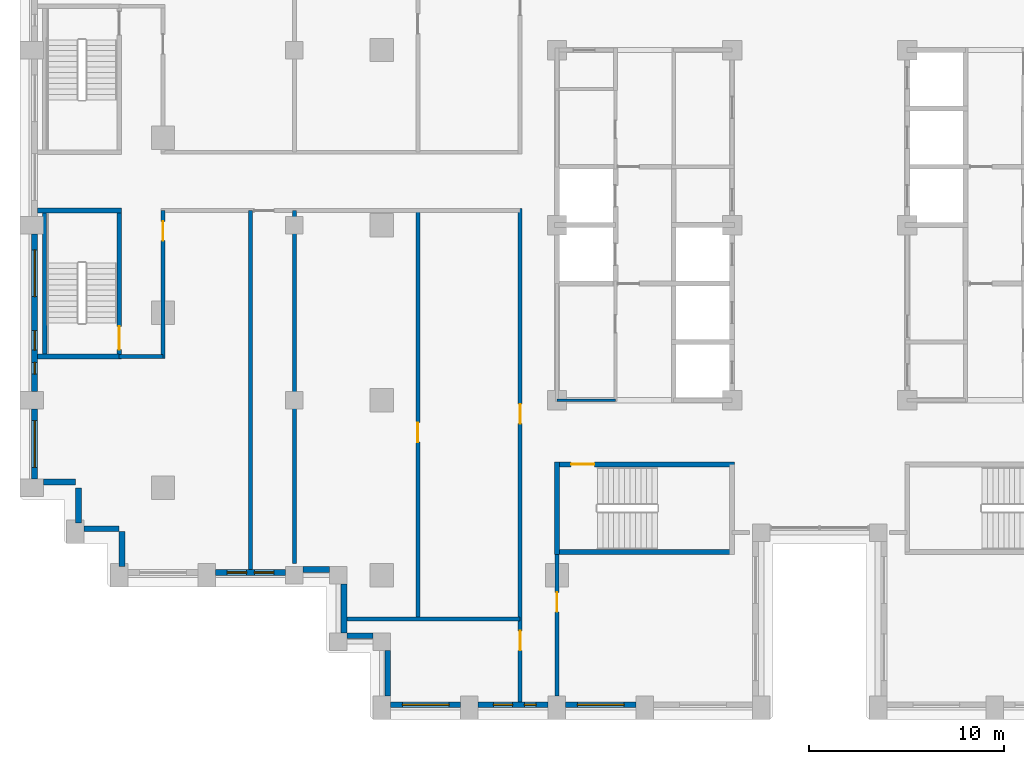
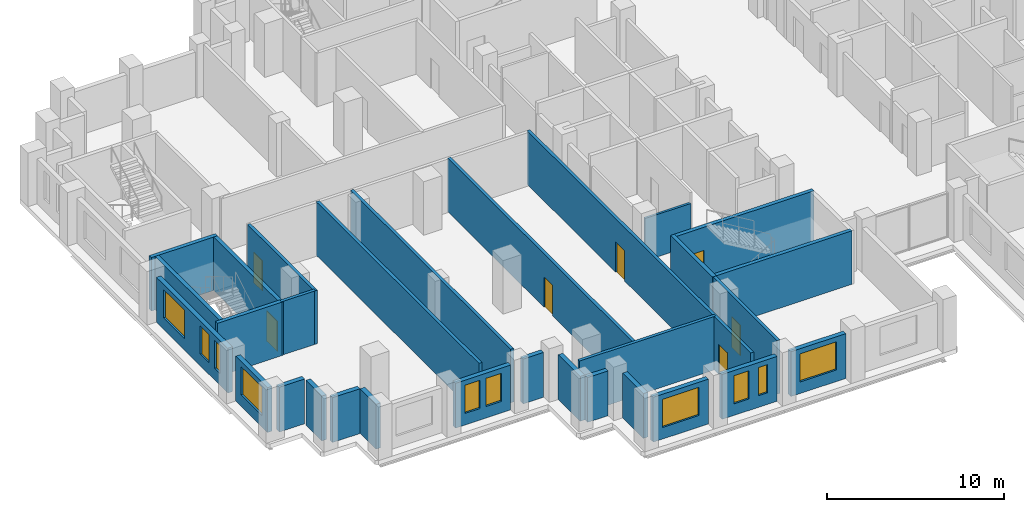
# One storey, part 6 of 16: 30 walls, 10 windows, 7 doors, 17 openings.
"""IFC4 building model written with IfcOpenShell, lengths in metres."""

from ifc_helpers import new_model, si_unit, direction, frame, frame_2d, origin, place, context, subcontext, project, spatial, rectangle, extrude, material, layer, layer_set, type_object, element, fill, save


model = new_model("IFC4")

# Units and contexts
model_context = context("Model", 3, precision=1e-05, world=origin(), true_north=direction((0.0, 1.0)))
body_context = subcontext(model_context, "Body", "Model", "MODEL_VIEW")
ifc_project = project(units=[si_unit("LENGTHUNIT", "METRE"), si_unit("AREAUNIT", "SQUARE_METRE"), si_unit("VOLUMEUNIT", "CUBIC_METRE"), si_unit("PLANEANGLEUNIT", "RADIAN"), si_unit("MASSUNIT", "GRAM", prefix="KILO")], contexts=[model_context])

# Site, building, storey
site_placement = place(None, origin())
site = spatial("IfcSite", under=ifc_project, at=site_placement, CompositionType="ELEMENT")
building_placement = place(site_placement, origin())
building = spatial("IfcBuilding", under=site, at=building_placement, Name="Corbelhall Arena Tower", CompositionType="ELEMENT")
storey_placement = place(building_placement, frame((0.0, 0.0, 108.0)))
storey = spatial("IfcBuildingStorey", under=building, at=storey_placement, Name="L19", CompositionType="ELEMENT", Elevation=108.0)

# Walls
ifc_material_1 = material(Name="Precast concrete C40/50 with granite facing", Category="masonry")
ifc_layer_1 = layer(ifc_material_1, 0.300048828125)
ifc_layer_set_1 = layer_set([ifc_layer_1], Name="EV-IW1 Infill panel 300")
wall_type_1 = type_object("IfcWallType", Name="EV-IW1 Infill panel 300", PredefinedType="SOLIDWALL", material=ifc_layer_set_1)
wall_1_placement = place(storey_placement, frame((-39.89990234375, -13.199951171875, 0.0), z_axis=(0.0, 0.0, 1.0), x_axis=(1.0, 0.0, 0.0)))
element("IfcWall", 1, at=wall_1_placement, inside=storey, type_object=wall_type_1, Name="Infill panel IW1", PredefinedType="SOLIDWALL", context=body_context, shape_type="SweptSolid", body=[
    extrude(rectangle(XDim=1.64990234375, YDim=0.300048828125, at=frame_2d((0.824951171875, 0.0))), origin(), (0.0, 0.0, 1.0), 3.10009765625),
])
for number, where, z_axis, x_axis, name in (
    (2, (-38.10009765625, -15.300048828125, 0.0), (0.0, 0.0, 1.0), (0.0, 1.0, 0.0), "Infill panel IW1"),
    (3, (-37.800048828125, -15.60009765625, 0.0), (0.0, 0.0, 1.0), (1.0, 0.0, 0.0), "Infill panel IW1"),
    (4, (-35.85009765625, -17.550048828125, 0.0), (0.0, 0.0, 1.0), (0.0, 1.0, 0.0), "Infill panel IW1"),
):
    element("IfcWall", number, at=place(storey_placement, frame(where, z_axis=z_axis, x_axis=x_axis)), inside=storey, type_object=wall_type_1, Name=name, PredefinedType="SOLIDWALL", context=body_context, shape_type="SweptSolid", body=[
        extrude(rectangle(XDim=1.800048828125, YDim=0.300048828125, at=frame_2d((0.89990234375, 0.0))), origin(), (0.0, 0.0, 1.0), 3.10009765625),
    ])

# Wall, openings, windows
wall_2_placement = place(storey_placement, frame((-40.35009765625, -0.449951171875, 0.0), z_axis=(0.0, 0.0, 1.0), x_axis=(0.0, -1.0, 0.0)))
wall_2 = element("IfcWall", 5, at=wall_2_placement, inside=storey, type_object=wall_type_1, Name="Infill panel IW1", PredefinedType="SOLIDWALL", context=body_context, shape_type="SweptSolid", body=[
    extrude(rectangle(XDim=8.10009765625, YDim=0.300048828125, at=frame_2d((4.050048828125, 0.0))), origin(), (0.0, 0.0, 1.0), 3.10009765625),
])
opening_1_placement = place(wall_2_placement, frame((0.824951171875, 0.0, 0.800048828125)))
opening_1 = element("IfcOpeningElement", 6, at=opening_1_placement, cuts=wall_2, Name="Opening WN1", PredefinedType="OPENING", context=body_context, shape_type="SweptSolid", body=[
    extrude(rectangle(XDim=2.39990234375, YDim=1.949951171875, at=frame_2d((1.199951171875, 0.97509765625))), frame((0.0, 0.14990234375, 0.0), z_axis=(0.0, -1.0, 0.0), x_axis=(1.0, 0.0, 0.0)), (0.0, 0.0, 1.0), 0.300048828125),
])
opening_2_placement = place(wall_2_placement, frame((4.97509765625, 0.0, 0.800048828125)))
opening_2 = element("IfcOpeningElement", 7, at=opening_2_placement, cuts=wall_2, Name="Opening WN6", PredefinedType="OPENING", context=body_context, shape_type="SweptSolid", body=[
    extrude(rectangle(XDim=1.0, YDim=1.949951171875, at=frame_2d((0.5, 0.97509765625))), frame((0.0, 0.14990234375, 0.0), z_axis=(0.0, -1.0, 0.0), x_axis=(1.0, 0.0, 0.0)), (0.0, 0.0, 1.0), 0.300048828125),
])
opening_3_placement = place(wall_2_placement, frame((6.60009765625, 0.0, 0.800048828125)))
opening_3 = element("IfcOpeningElement", 8, at=opening_3_placement, cuts=wall_2, Name="Opening WN5", PredefinedType="OPENING", context=body_context, shape_type="SweptSolid", body=[
    extrude(rectangle(XDim=0.60009765625, YDim=1.949951171875, at=frame_2d((0.300048828125, 0.97509765625))), frame((0.0, 0.14990234375, 0.0), z_axis=(0.0, -1.0, 0.0), x_axis=(1.0, 0.0, 0.0)), (0.0, 0.0, 1.0), 0.300048828125),
])
ifc_material_2 = material(Name="Aluminium black anodised", Category="aluminium")
window_type_1 = type_object("IfcWindowType", Name="EV-WN1 Office window", PartitioningType="SINGLE_PANEL", PredefinedType="WINDOW", material=ifc_material_2)
window_1_placement = place(opening_1_placement, origin())
window_1 = element("IfcWindow", 9, at=window_1_placement, inside=storey, type_object=window_type_1, Name="Window WN1", OverallHeight=1.949951171875, OverallWidth=2.39990234375, PartitioningType="SINGLE_PANEL", PredefinedType="WINDOW", context=body_context, shape_type="SweptSolid", body=[
    extrude(rectangle(XDim=2.39990234375, YDim=1.949951171875, at=frame_2d((1.199951171875, 0.97509765625))), frame((0.0, 0.030029296875, 0.0), z_axis=(0.0, -1.0, 0.0), x_axis=(1.0, 0.0, 0.0)), (0.0, 0.0, 1.0), 0.06005859375),
])
fill(opening_1, window_1)
window_type_2 = type_object("IfcWindowType", Name="EV-WN5 Office window 600", PartitioningType="SINGLE_PANEL", PredefinedType="WINDOW", material=ifc_material_2)
window_2_placement = place(opening_3_placement, origin())
window_2 = element("IfcWindow", 10, at=window_2_placement, inside=storey, type_object=window_type_2, Name="Window WN5", OverallHeight=1.949951171875, OverallWidth=0.60009765625, PartitioningType="SINGLE_PANEL", PredefinedType="WINDOW", context=body_context, shape_type="SweptSolid", body=[
    extrude(rectangle(XDim=0.60009765625, YDim=1.949951171875, at=frame_2d((0.300048828125, 0.97509765625))), frame((0.0, 0.030029296875, 0.0), z_axis=(0.0, -1.0, 0.0), x_axis=(1.0, 0.0, 0.0)), (0.0, 0.0, 1.0), 0.06005859375),
])
fill(opening_3, window_2)
window_type_3 = type_object("IfcWindowType", Name="EV-WN6 Office window 1000", PartitioningType="SINGLE_PANEL", PredefinedType="WINDOW", material=ifc_material_2)
window_3_placement = place(opening_2_placement, origin())
window_3 = element("IfcWindow", 11, at=window_3_placement, inside=storey, type_object=window_type_3, Name="Window WN6", OverallHeight=1.949951171875, OverallWidth=1.0, PartitioningType="SINGLE_PANEL", PredefinedType="WINDOW", context=body_context, shape_type="SweptSolid", body=[
    extrude(rectangle(XDim=1.0, YDim=1.949951171875, at=frame_2d((0.5, 0.97509765625))), frame((0.0, 0.030029296875, 0.0), z_axis=(0.0, -1.0, 0.0), x_axis=(1.0, 0.0, 0.0)), (0.0, 0.0, 1.0), 0.06005859375),
])
fill(opening_2, window_3)

# Wall, opening, window
wall_3_placement = place(storey_placement, frame((-40.35009765625, -9.449951171875, 0.0), z_axis=(0.0, 0.0, 1.0), x_axis=(0.0, -1.0, 0.0)))
wall_3 = element("IfcWall", 12, at=wall_3_placement, inside=storey, type_object=wall_type_1, Name="Infill panel IW1", PredefinedType="SOLIDWALL", context=body_context, shape_type="SweptSolid", body=[
    extrude(rectangle(XDim=3.60009765625, YDim=0.300048828125, at=frame_2d((1.800048828125, 0.0))), origin(), (0.0, 0.0, 1.0), 3.10009765625),
])
opening_4_placement = place(wall_3_placement, frame((0.60009765625, 0.0, 0.800048828125)))
opening_4 = element("IfcOpeningElement", 13, at=opening_4_placement, cuts=wall_3, Name="Opening WN1", PredefinedType="OPENING", context=body_context, shape_type="SweptSolid", body=[
    extrude(rectangle(XDim=2.39990234375, YDim=1.949951171875, at=frame_2d((1.199951171875, 0.97509765625))), frame((0.0, 0.14990234375, 0.0), z_axis=(0.0, -1.0, 0.0), x_axis=(1.0, 0.0, 0.0)), (0.0, 0.0, 1.0), 0.300048828125),
])
window_4_placement = place(opening_4_placement, origin())
window_4 = element("IfcWindow", 14, at=window_4_placement, inside=storey, type_object=window_type_1, Name="Window WN1", OverallHeight=1.949951171875, OverallWidth=2.39990234375, PartitioningType="SINGLE_PANEL", PredefinedType="WINDOW", context=body_context, shape_type="SweptSolid", body=[
    extrude(rectangle(XDim=2.39990234375, YDim=1.949951171875, at=frame_2d((1.199951171875, 0.97509765625))), frame((0.0, 0.030029296875, 0.0), z_axis=(0.0, -1.0, 0.0), x_axis=(1.0, 0.0, 0.0)), (0.0, 0.0, 1.0), 0.06005859375),
])
fill(opening_4, window_4)

# Wall, openings, windows
wall_4_placement = place(storey_placement, frame((-31.050048828125, -17.85009765625, 0.0), z_axis=(0.0, 0.0, 1.0), x_axis=(1.0, 0.0, 0.0)))
wall_4 = element("IfcWall", 15, at=wall_4_placement, inside=storey, type_object=wall_type_1, Name="Infill panel IW1", PredefinedType="SOLIDWALL", context=body_context, shape_type="SweptSolid", body=[
    extrude(rectangle(XDim=3.60009765625, YDim=0.300048828125, at=frame_2d((1.800048828125, 0.0))), origin(), (0.0, 0.0, 1.0), 3.10009765625),
])
opening_5_placement = place(wall_4_placement, frame((0.60009765625, 0.0, 0.800048828125)))
opening_5 = element("IfcOpeningElement", 16, at=opening_5_placement, cuts=wall_4, Name="Opening WN6", PredefinedType="OPENING", context=body_context, shape_type="SweptSolid", body=[
    extrude(rectangle(XDim=1.0, YDim=1.949951171875, at=frame_2d((0.5, 0.97509765625))), frame((0.0, 0.14990234375, 0.0), z_axis=(0.0, -1.0, 0.0), x_axis=(1.0, 0.0, 0.0)), (0.0, 0.0, 1.0), 0.300048828125),
])
opening_6_placement = place(wall_4_placement, frame((2.0, 0.0, 0.800048828125)))
opening_6 = element("IfcOpeningElement", 17, at=opening_6_placement, cuts=wall_4, Name="Opening WN6", PredefinedType="OPENING", context=body_context, shape_type="SweptSolid", body=[
    extrude(rectangle(XDim=1.0, YDim=1.949951171875, at=frame_2d((0.5, 0.97509765625))), frame((0.0, 0.14990234375, 0.0), z_axis=(0.0, -1.0, 0.0), x_axis=(1.0, 0.0, 0.0)), (0.0, 0.0, 1.0), 0.300048828125),
])
window_5_placement = place(opening_5_placement, origin())
window_5 = element("IfcWindow", 18, at=window_5_placement, inside=storey, type_object=window_type_3, Name="Window WN6", OverallHeight=1.949951171875, OverallWidth=1.0, PartitioningType="SINGLE_PANEL", PredefinedType="WINDOW", context=body_context, shape_type="SweptSolid", body=[
    extrude(rectangle(XDim=1.0, YDim=1.949951171875, at=frame_2d((0.5, 0.97509765625))), frame((0.0, 0.030029296875, 0.0), z_axis=(0.0, -1.0, 0.0), x_axis=(1.0, 0.0, 0.0)), (0.0, 0.0, 1.0), 0.06005859375),
])
fill(opening_5, window_5)
window_6_placement = place(opening_6_placement, origin())
window_6 = element("IfcWindow", 19, at=window_6_placement, inside=storey, type_object=window_type_3, Name="Window WN6", OverallHeight=1.949951171875, OverallWidth=1.0, PartitioningType="SINGLE_PANEL", PredefinedType="WINDOW", context=body_context, shape_type="SweptSolid", body=[
    extrude(rectangle(XDim=1.0, YDim=1.949951171875, at=frame_2d((0.5, 0.97509765625))), frame((0.0, 0.030029296875, 0.0), z_axis=(0.0, -1.0, 0.0), x_axis=(1.0, 0.0, 0.0)), (0.0, 0.0, 1.0), 0.06005859375),
])
fill(opening_6, window_6)

# Walls
wall_5_placement = place(storey_placement, frame((-26.550048828125, -17.699951171875, 0.0), z_axis=(0.0, 0.0, 1.0), x_axis=(1.0, 0.0, 0.0)))
element("IfcWall", 20, at=wall_5_placement, inside=storey, type_object=wall_type_1, Name="Infill panel IW1", PredefinedType="SOLIDWALL", context=body_context, shape_type="SweptSolid", body=[
    extrude(rectangle(XDim=1.35009765625, YDim=0.300048828125, at=frame_2d((0.675048828125, 0.0))), origin(), (0.0, 0.0, 1.0), 3.10009765625),
])
wall_6_placement = place(storey_placement, frame((-24.449951171875, -18.449951171875, 0.0), z_axis=(0.0, 0.0, 1.0), x_axis=(0.0, -1.0, 0.0)))
element("IfcWall", 21, at=wall_6_placement, inside=storey, type_object=wall_type_1, Name="Infill panel IW1", PredefinedType="SOLIDWALL", context=body_context, shape_type="SweptSolid", body=[
    extrude(rectangle(XDim=2.5, YDim=0.300048828125, at=frame_2d((1.25, 0.0))), origin(), (0.0, 0.0, 1.0), 3.10009765625),
])
wall_7_placement = place(storey_placement, frame((-24.300048828125, -21.10009765625, 0.0), z_axis=(0.0, 0.0, 1.0), x_axis=(1.0, 0.0, 0.0)))
element("IfcWall", 22, at=wall_7_placement, inside=storey, type_object=wall_type_1, Name="Infill panel IW1", PredefinedType="SOLIDWALL", context=body_context, shape_type="SweptSolid", body=[
    extrude(rectangle(XDim=1.35009765625, YDim=0.300048828125, at=frame_2d((0.675048828125, 0.0))), origin(), (0.0, 0.0, 1.0), 3.10009765625),
])
wall_8_placement = place(storey_placement, frame((-22.199951171875, -21.85009765625, 0.0), z_axis=(0.0, 0.0, 1.0), x_axis=(0.0, -1.0, 0.0)))
element("IfcWall", 23, at=wall_8_placement, inside=storey, type_object=wall_type_1, Name="Infill panel IW1", PredefinedType="SOLIDWALL", context=body_context, shape_type="SweptSolid", body=[
    extrude(rectangle(XDim=2.349853515625, YDim=0.300048828125, at=frame_2d((1.1748046875, 0.0))), origin(), (0.0, 0.0, 1.0), 3.10009765625),
])

# Wall, opening, window
wall_9_placement = place(storey_placement, frame((-22.050048828125, -24.64990234375, 0.0), z_axis=(0.0, 0.0, 1.0), x_axis=(1.0, 0.0, 0.0)))
wall_9 = element("IfcWall", 24, at=wall_9_placement, inside=storey, type_object=wall_type_1, Name="Infill panel IW1", PredefinedType="SOLIDWALL", context=body_context, shape_type="SweptSolid", body=[
    extrude(rectangle(XDim=3.60009765625, YDim=0.300048828125, at=frame_2d((1.800048828125, 0.0))), origin(), (0.0, 0.0, 1.0), 3.10009765625),
])
opening_7_placement = place(wall_9_placement, frame((0.60009765625, 0.0, 0.800048828125)))
opening_7 = element("IfcOpeningElement", 25, at=opening_7_placement, cuts=wall_9, Name="Opening WN1", PredefinedType="OPENING", context=body_context, shape_type="SweptSolid", body=[
    extrude(rectangle(XDim=2.39990234375, YDim=1.949951171875, at=frame_2d((1.199951171875, 0.97509765625))), frame((0.0, 0.14990234375, 0.0), z_axis=(0.0, -1.0, 0.0), x_axis=(1.0, 0.0, 0.0)), (0.0, 0.0, 1.0), 0.300048828125),
])
window_7_placement = place(opening_7_placement, origin())
window_7 = element("IfcWindow", 26, at=window_7_placement, inside=storey, type_object=window_type_1, Name="Window WN1", OverallHeight=1.949951171875, OverallWidth=2.39990234375, PartitioningType="SINGLE_PANEL", PredefinedType="WINDOW", context=body_context, shape_type="SweptSolid", body=[
    extrude(rectangle(XDim=2.39990234375, YDim=1.949951171875, at=frame_2d((1.199951171875, 0.97509765625))), frame((0.0, 0.030029296875, 0.0), z_axis=(0.0, -1.0, 0.0), x_axis=(1.0, 0.0, 0.0)), (0.0, 0.0, 1.0), 0.06005859375),
])
fill(opening_7, window_7)

# Wall, openings, windows
wall_10_placement = place(storey_placement, frame((-17.550048828125, -24.64990234375, 0.0), z_axis=(0.0, 0.0, 1.0), x_axis=(1.0, 0.0, 0.0)))
wall_10 = element("IfcWall", 27, at=wall_10_placement, inside=storey, type_object=wall_type_1, Name="Infill panel IW1", PredefinedType="SOLIDWALL", context=body_context, shape_type="SweptSolid", body=[
    extrude(rectangle(XDim=3.60009765625, YDim=0.300048828125, at=frame_2d((1.800048828125, 0.0))), origin(), (0.0, 0.0, 1.0), 3.10009765625),
])
opening_8_placement = place(wall_10_placement, frame((0.77490234375, 0.0, 0.800048828125)))
opening_8 = element("IfcOpeningElement", 28, at=opening_8_placement, cuts=wall_10, Name="Opening WN6", PredefinedType="OPENING", context=body_context, shape_type="SweptSolid", body=[
    extrude(rectangle(XDim=1.0, YDim=1.949951171875, at=frame_2d((0.5, 0.97509765625))), frame((0.0, 0.14990234375, 0.0), z_axis=(0.0, -1.0, 0.0), x_axis=(1.0, 0.0, 0.0)), (0.0, 0.0, 1.0), 0.300048828125),
])
opening_9_placement = place(wall_10_placement, frame((2.375, 0.0, 0.800048828125)))
opening_9 = element("IfcOpeningElement", 29, at=opening_9_placement, cuts=wall_10, Name="Opening WN5", PredefinedType="OPENING", context=body_context, shape_type="SweptSolid", body=[
    extrude(rectangle(XDim=0.60009765625, YDim=1.949951171875, at=frame_2d((0.300048828125, 0.97509765625))), frame((0.0, 0.14990234375, 0.0), z_axis=(0.0, -1.0, 0.0), x_axis=(1.0, 0.0, 0.0)), (0.0, 0.0, 1.0), 0.300048828125),
])
window_8_placement = place(opening_9_placement, origin())
window_8 = element("IfcWindow", 30, at=window_8_placement, inside=storey, type_object=window_type_2, Name="Window WN5", OverallHeight=1.949951171875, OverallWidth=0.60009765625, PartitioningType="SINGLE_PANEL", PredefinedType="WINDOW", context=body_context, shape_type="SweptSolid", body=[
    extrude(rectangle(XDim=0.60009765625, YDim=1.949951171875, at=frame_2d((0.300048828125, 0.97509765625))), frame((0.0, 0.030029296875, 0.0), z_axis=(0.0, -1.0, 0.0), x_axis=(1.0, 0.0, 0.0)), (0.0, 0.0, 1.0), 0.06005859375),
])
fill(opening_9, window_8)
window_9_placement = place(opening_8_placement, origin())
window_9 = element("IfcWindow", 31, at=window_9_placement, inside=storey, type_object=window_type_3, Name="Window WN6", OverallHeight=1.949951171875, OverallWidth=1.0, PartitioningType="SINGLE_PANEL", PredefinedType="WINDOW", context=body_context, shape_type="SweptSolid", body=[
    extrude(rectangle(XDim=1.0, YDim=1.949951171875, at=frame_2d((0.5, 0.97509765625))), frame((0.0, 0.030029296875, 0.0), z_axis=(0.0, -1.0, 0.0), x_axis=(1.0, 0.0, 0.0)), (0.0, 0.0, 1.0), 0.06005859375),
])
fill(opening_8, window_9)

# Wall, opening, window
wall_11_placement = place(storey_placement, frame((-13.050048828125, -24.64990234375, 0.0), z_axis=(0.0, 0.0, 1.0), x_axis=(1.0, 0.0, 0.0)))
wall_11 = element("IfcWall", 32, at=wall_11_placement, inside=storey, type_object=wall_type_1, Name="Infill panel IW1", PredefinedType="SOLIDWALL", context=body_context, shape_type="SweptSolid", body=[
    extrude(rectangle(XDim=3.60009765625, YDim=0.300048828125, at=frame_2d((1.800048828125, 0.0))), origin(), (0.0, 0.0, 1.0), 3.10009765625),
])
opening_10_placement = place(wall_11_placement, frame((0.60009765625, 0.0, 0.800048828125)))
opening_10 = element("IfcOpeningElement", 33, at=opening_10_placement, cuts=wall_11, Name="Opening WN1", PredefinedType="OPENING", context=body_context, shape_type="SweptSolid", body=[
    extrude(rectangle(XDim=2.39990234375, YDim=1.949951171875, at=frame_2d((1.199951171875, 0.97509765625))), frame((0.0, 0.14990234375, 0.0), z_axis=(0.0, -1.0, 0.0), x_axis=(1.0, 0.0, 0.0)), (0.0, 0.0, 1.0), 0.300048828125),
])
window_10_placement = place(opening_10_placement, origin())
window_10 = element("IfcWindow", 34, at=window_10_placement, inside=storey, type_object=window_type_1, Name="Window WN1", OverallHeight=1.949951171875, OverallWidth=2.39990234375, PartitioningType="SINGLE_PANEL", PredefinedType="WINDOW", context=body_context, shape_type="SweptSolid", body=[
    extrude(rectangle(XDim=2.39990234375, YDim=1.949951171875, at=frame_2d((1.199951171875, 0.97509765625))), frame((0.0, 0.030029296875, 0.0), z_axis=(0.0, -1.0, 0.0), x_axis=(1.0, 0.0, 0.0)), (0.0, 0.0, 1.0), 0.06005859375),
])
fill(opening_10, window_10)

# Wall
ifc_material_3 = material(Name="Gypsum board on steel stud, acoustic", Category="steel")
ifc_layer_2 = layer(ifc_material_3, 0.199951171875)
ifc_layer_set_2 = layer_set([ifc_layer_2], Name="IN-W-DM200")
wall_type_2 = type_object("IfcWallType", Name="IN-W-DM200", PredefinedType="PARTITIONING", material=ifc_layer_set_2)
wall_12_placement = place(storey_placement, frame((-33.75, -6.75, 0.0), z_axis=(0.0, 0.0, 1.0), x_axis=(-1.0, 0.0, 0.0)))
element("IfcWall", 35, at=wall_12_placement, inside=storey, type_object=wall_type_2, Name="Partition 003", PredefinedType="PARTITIONING", context=body_context, shape_type="SweptSolid", body=[
    extrude(rectangle(XDim=2.25, YDim=0.199951171875, at=frame_2d((1.125, 0.0))), origin(), (0.0, 0.0, 1.0), 3.699951171875),
])

# Wall, opening, door
wall_13_placement = place(storey_placement, frame((-33.75, 0.75, 0.0), z_axis=(0.0, 0.0, 1.0), x_axis=(0.0, -1.0, 0.0)))
wall_13 = element("IfcWall", 36, at=wall_13_placement, inside=storey, type_object=wall_type_2, Name="Partition 004", PredefinedType="PARTITIONING", context=body_context, shape_type="SweptSolid", body=[
    extrude(rectangle(XDim=7.60009765625, YDim=0.199951171875, at=frame_2d((3.800048828125, 0.0))), origin(), (0.0, 0.0, 1.0), 3.699951171875),
])
opening_11_placement = place(wall_13_placement, frame((0.550048828125, 0.0, 0.0)))
opening_11 = element("IfcOpeningElement", 37, at=opening_11_placement, cuts=wall_13, Name="Opening 04040", PredefinedType="OPENING", context=body_context, shape_type="SweptSolid", body=[
    extrude(rectangle(XDim=1.0, YDim=2.10009765625, at=frame_2d((0.5, 1.050048828125))), frame((0.0, 0.10009765625, 0.0), z_axis=(0.0, -1.0, 0.0), x_axis=(1.0, 0.0, 0.0)), (0.0, 0.0, 1.0), 0.199951171875),
])
ifc_material_4 = material(Name="Steel door set", Category="steel")
door_type_1 = type_object("IfcDoorType", Name="IN-D-SW100", OperationType="NOTDEFINED", PredefinedType="DOOR", material=ifc_material_4)
door_1_placement = place(opening_11_placement, origin())
door_1 = element("IfcDoor", 38, at=door_1_placement, inside=storey, type_object=door_type_1, Name="Door 040", OperationType="SINGLE_SWING_LEFT", OverallHeight=2.10009765625, OverallWidth=1.0, PredefinedType="DOOR", context=body_context, shape_type="SweptSolid", body=[
    extrude(rectangle(XDim=1.0, YDim=2.10009765625, at=frame_2d((0.5, 1.050048828125))), frame((0.0, 0.02490234375, 0.0), z_axis=(0.0, -1.0, 0.0), x_axis=(1.0, 0.0, 0.0)), (0.0, 0.0, 1.0), 0.050048828125),
])
fill(opening_11, door_1)

# Walls
wall_14_placement = place(storey_placement, frame((-29.25, 0.75, 0.0), z_axis=(0.0, 0.0, 1.0), x_axis=(0.0, -1.0, 0.0)))
element("IfcWall", 39, at=wall_14_placement, inside=storey, type_object=wall_type_2, Name="Partition 006", PredefinedType="PARTITIONING", context=body_context, shape_type="SweptSolid", body=[
    extrude(rectangle(XDim=18.449951171875, YDim=0.199951171875, at=frame_2d((9.22509765625, 0.0))), origin(), (0.0, 0.0, 1.0), 3.699951171875),
])
wall_15_placement = place(storey_placement, frame((-27.0, -17.39990234375, 0.0), z_axis=(0.0, 0.0, 1.0), x_axis=(0.0, 1.0, 0.0)))
element("IfcWall", 40, at=wall_15_placement, inside=storey, type_object=wall_type_2, Name="Partition 008", PredefinedType="PARTITIONING", context=body_context, shape_type="SweptSolid", body=[
    extrude(rectangle(XDim=18.14990234375, YDim=0.199951171875, at=frame_2d((9.074951171875, 0.0))), origin(), (0.0, 0.0, 1.0), 3.699951171875),
])
wall_16_placement = place(storey_placement, frame((-24.300048828125, -20.25, 0.0), z_axis=(0.0, 0.0, 1.0), x_axis=(1.0, 0.0, 0.0)))
element("IfcWall", 41, at=wall_16_placement, inside=storey, type_object=wall_type_2, Name="Partition 010", PredefinedType="PARTITIONING", context=body_context, shape_type="SweptSolid", body=[
    extrude(rectangle(XDim=8.900146484375, YDim=0.199951171875, at=frame_2d((4.4501953125, 0.0))), origin(), (0.0, 0.0, 1.0), 3.699951171875),
])

# Wall, opening, door
wall_17_placement = place(storey_placement, frame((-20.64990234375, -20.25, 0.0), z_axis=(0.0, 0.0, 1.0), x_axis=(0.0, 1.0, 0.0)))
wall_17 = element("IfcWall", 42, at=wall_17_placement, inside=storey, type_object=wall_type_2, Name="Partition 012", PredefinedType="PARTITIONING", context=body_context, shape_type="SweptSolid", body=[
    extrude(rectangle(XDim=21.0, YDim=0.199951171875, at=frame_2d((10.5, 0.0))), origin(), (0.0, 0.0, 1.0), 3.699951171875),
])
opening_12_placement = place(wall_17_placement, frame((9.10009765625, 0.0, 0.0)))
opening_12 = element("IfcOpeningElement", 43, at=opening_12_placement, cuts=wall_17, Name="Opening 04031", PredefinedType="OPENING", context=body_context, shape_type="SweptSolid", body=[
    extrude(rectangle(XDim=1.0, YDim=2.10009765625, at=frame_2d((0.5, 1.050048828125))), frame((0.0, 0.10009765625, 0.0), z_axis=(0.0, -1.0, 0.0), x_axis=(1.0, 0.0, 0.0)), (0.0, 0.0, 1.0), 0.199951171875),
])
door_2_placement = place(opening_12_placement, origin())
door_2 = element("IfcDoor", 44, at=door_2_placement, inside=storey, type_object=door_type_1, Name="Door 031", OperationType="SINGLE_SWING_RIGHT", OverallHeight=2.10009765625, OverallWidth=1.0, PredefinedType="DOOR", context=body_context, shape_type="SweptSolid", body=[
    extrude(rectangle(XDim=1.0, YDim=2.10009765625, at=frame_2d((0.5, 1.050048828125))), frame((0.0, 0.02490234375, 0.0), z_axis=(0.0, -1.0, 0.0), x_axis=(1.0, 0.0, 0.0)), (0.0, 0.0, 1.0), 0.050048828125),
])
fill(opening_12, door_2)

# Wall, openings, doors
wall_18_placement = place(storey_placement, frame((-15.39990234375, -24.5, 0.0), z_axis=(0.0, 0.0, 1.0), x_axis=(0.0, 1.0, 0.0)))
wall_18 = element("IfcWall", 45, at=wall_18_placement, inside=storey, type_object=wall_type_2, Name="Partition 015", PredefinedType="PARTITIONING", context=body_context, shape_type="SweptSolid", body=[
    extrude(rectangle(XDim=25.35009765625, YDim=0.199951171875, at=frame_2d((12.675048828125, 0.0))), origin(), (0.0, 0.0, 1.0), 3.699951171875),
])
opening_13_placement = place(wall_18_placement, frame((2.64990234375, 0.0, 0.0)))
opening_13 = element("IfcOpeningElement", 46, at=opening_13_placement, cuts=wall_18, Name="Opening 04029", PredefinedType="OPENING", context=body_context, shape_type="SweptSolid", body=[
    extrude(rectangle(XDim=1.0, YDim=2.10009765625, at=frame_2d((0.5, 1.050048828125))), frame((0.0, 0.10009765625, 0.0), z_axis=(0.0, -1.0, 0.0), x_axis=(1.0, 0.0, 0.0)), (0.0, 0.0, 1.0), 0.199951171875),
])
opening_14_placement = place(wall_18_placement, frame((14.300048828125, 0.0, 0.0)))
opening_14 = element("IfcOpeningElement", 47, at=opening_14_placement, cuts=wall_18, Name="Opening 04030", PredefinedType="OPENING", context=body_context, shape_type="SweptSolid", body=[
    extrude(rectangle(XDim=1.0, YDim=2.10009765625, at=frame_2d((0.5, 1.050048828125))), frame((0.0, 0.10009765625, 0.0), z_axis=(0.0, -1.0, 0.0), x_axis=(1.0, 0.0, 0.0)), (0.0, 0.0, 1.0), 0.199951171875),
])
door_3_placement = place(opening_13_placement, origin())
door_3 = element("IfcDoor", 48, at=door_3_placement, inside=storey, type_object=door_type_1, Name="Door 029", OperationType="SINGLE_SWING_RIGHT", OverallHeight=2.10009765625, OverallWidth=1.0, PredefinedType="DOOR", context=body_context, shape_type="SweptSolid", body=[
    extrude(rectangle(XDim=1.0, YDim=2.10009765625, at=frame_2d((0.5, 1.050048828125))), frame((0.0, 0.02490234375, 0.0), z_axis=(0.0, -1.0, 0.0), x_axis=(1.0, 0.0, 0.0)), (0.0, 0.0, 1.0), 0.050048828125),
])
fill(opening_13, door_3)
door_4_placement = place(opening_14_placement, origin())
door_4 = element("IfcDoor", 49, at=door_4_placement, inside=storey, type_object=door_type_1, Name="Door 030", OperationType="SINGLE_SWING_LEFT", OverallHeight=2.10009765625, OverallWidth=1.0, PredefinedType="DOOR", context=body_context, shape_type="SweptSolid", body=[
    extrude(rectangle(XDim=1.0, YDim=2.10009765625, at=frame_2d((0.5, 1.050048828125))), frame((0.0, 0.02490234375, 0.0), z_axis=(0.0, -1.0, 0.0), x_axis=(1.0, 0.0, 0.0)), (0.0, 0.0, 1.0), 0.050048828125),
])
fill(opening_14, door_4)

# Wall, opening, door
wall_19_placement = place(storey_placement, frame((-13.5, -16.675048828125, 0.0), z_axis=(0.0, 0.0, 1.0), x_axis=(0.0, -1.0, 0.0)))
wall_19 = element("IfcWall", 50, at=wall_19_placement, inside=storey, type_object=wall_type_2, Name="Partition 018", PredefinedType="PARTITIONING", context=body_context, shape_type="SweptSolid", body=[
    extrude(rectangle(XDim=7.52490234375, YDim=0.199951171875, at=frame_2d((3.762451171875, 0.0))), origin(), (0.0, 0.0, 1.0), 3.699951171875),
])
opening_15_placement = place(wall_19_placement, frame((2.199951171875, 0.0, 0.0)))
opening_15 = element("IfcOpeningElement", 51, at=opening_15_placement, cuts=wall_19, Name="Opening 04025", PredefinedType="OPENING", context=body_context, shape_type="SweptSolid", body=[
    extrude(rectangle(XDim=1.0, YDim=2.10009765625, at=frame_2d((0.5, 1.050048828125))), frame((0.0, 0.10009765625, 0.0), z_axis=(0.0, -1.0, 0.0), x_axis=(1.0, 0.0, 0.0)), (0.0, 0.0, 1.0), 0.199951171875),
])
door_5_placement = place(opening_15_placement, origin())
door_5 = element("IfcDoor", 52, at=door_5_placement, inside=storey, type_object=door_type_1, Name="Door 025", OperationType="SINGLE_SWING_RIGHT", OverallHeight=2.10009765625, OverallWidth=1.0, PredefinedType="DOOR", context=body_context, shape_type="SweptSolid", body=[
    extrude(rectangle(XDim=1.0, YDim=2.10009765625, at=frame_2d((0.5, 1.050048828125))), frame((0.0, 0.02490234375, 0.0), z_axis=(0.0, -1.0, 0.0), x_axis=(1.0, 0.0, 0.0)), (0.0, 0.0, 1.0), 0.050048828125),
])
fill(opening_15, door_5)

# Wall
ifc_material_5 = material(Name="Concrete C40/50", Category="concrete")
ifc_layer_3 = layer(ifc_material_5, 0.25)
ifc_layer_set_3 = layer_set([ifc_layer_3], Name="IN-W-ST250")
wall_type_3 = type_object("IfcWallType", Name="IN-W-ST250", PredefinedType="SOLIDWALL", material=ifc_layer_set_3)
wall_20_placement = place(storey_placement, frame((-36.0, -6.75, 0.0), z_axis=(0.0, 0.0, 1.0), x_axis=(-1.0, 0.0, 0.0)))
element("IfcWall", 53, at=wall_20_placement, inside=storey, type_object=wall_type_3, Name="Shaft wall 083", PredefinedType="SOLIDWALL", context=body_context, shape_type="SweptSolid", body=[
    extrude(rectangle(XDim=4.199951171875, YDim=0.25, at=frame_2d((2.10009765625, 0.0))), origin(), (0.0, 0.0, 1.0), 3.699951171875),
])

# Wall, opening, door
wall_21_placement = place(storey_placement, frame((-36.0, 0.75, 0.0), z_axis=(0.0, 0.0, 1.0), x_axis=(0.0, -1.0, 0.0)))
wall_21 = element("IfcWall", 54, at=wall_21_placement, inside=storey, type_object=wall_type_3, Name="Shaft wall 084", PredefinedType="SOLIDWALL", context=body_context, shape_type="SweptSolid", body=[
    extrude(rectangle(XDim=7.625, YDim=0.25, at=frame_2d((3.8125, 0.0))), origin(), (0.0, 0.0, 1.0), 3.699951171875),
])
opening_16_placement = place(wall_21_placement, frame((5.949951171875, 0.0, 0.0)))
opening_16 = element("IfcOpeningElement", 55, at=opening_16_placement, cuts=wall_21, Name="Opening 04020", PredefinedType="OPENING", context=body_context, shape_type="SweptSolid", body=[
    extrude(rectangle(XDim=1.199951171875, YDim=2.10009765625, at=frame_2d((0.60009765625, 1.050048828125))), frame((0.0, 0.125, 0.0), z_axis=(0.0, -1.0, 0.0), x_axis=(1.0, 0.0, 0.0)), (0.0, 0.0, 1.0), 0.25),
])
door_type_2 = type_object("IfcDoorType", Name="IN-D-ST120", OperationType="NOTDEFINED", PredefinedType="DOOR", material=ifc_material_4)
door_6_placement = place(opening_16_placement, origin())
door_6 = element("IfcDoor", 56, at=door_6_placement, inside=storey, type_object=door_type_2, Name="Door 020", OperationType="SINGLE_SWING_LEFT", OverallHeight=2.10009765625, OverallWidth=1.199951171875, PredefinedType="DOOR", context=body_context, shape_type="SweptSolid", body=[
    extrude(rectangle(XDim=1.199951171875, YDim=2.10009765625, at=frame_2d((0.60009765625, 1.050048828125))), frame((0.0, 0.02490234375, 0.0), z_axis=(0.0, -1.0, 0.0), x_axis=(1.0, 0.0, 0.0)), (0.0, 0.0, 1.0), 0.050048828125),
])
fill(opening_16, door_6)

# Walls
wall_22_placement = place(storey_placement, frame((-35.875, 0.75, 0.0), z_axis=(0.0, 0.0, 1.0), x_axis=(-1.0, 0.0, 0.0)))
element("IfcWall", 57, at=wall_22_placement, inside=storey, type_object=wall_type_3, Name="Shaft wall 086", PredefinedType="SOLIDWALL", context=body_context, shape_type="SweptSolid", body=[
    extrude(rectangle(XDim=4.324951171875, YDim=0.25, at=frame_2d((2.16259765625, 0.0))), origin(), (0.0, 0.0, 1.0), 3.699951171875),
])
wall_23_placement = place(storey_placement, frame((-13.5, -12.175048828125, 0.0), z_axis=(0.0, 0.0, 1.0), x_axis=(0.0, -1.0, 0.0)))
element("IfcWall", 58, at=wall_23_placement, inside=storey, type_object=wall_type_3, Name="Shaft wall 087", PredefinedType="SOLIDWALL", context=body_context, shape_type="SweptSolid", body=[
    extrude(rectangle(XDim=4.75, YDim=0.25, at=frame_2d((2.375, 0.0))), origin(), (0.0, 0.0, 1.0), 3.699951171875),
])
wall_24_placement = place(storey_placement, frame((-4.5, -16.800048828125, 0.0), z_axis=(0.0, 0.0, 1.0), x_axis=(-1.0, 0.0, 0.0)))
element("IfcWall", 59, at=wall_24_placement, inside=storey, type_object=wall_type_3, Name="Shaft wall 091", PredefinedType="SOLIDWALL", context=body_context, shape_type="SweptSolid", body=[
    extrude(rectangle(XDim=9.0, YDim=0.25, at=frame_2d((4.5, 0.0))), origin(), (0.0, 0.0, 1.0), 3.699951171875),
])

# Wall, opening, door
wall_25_placement = place(storey_placement, frame((-4.375, -12.300048828125, 0.0), z_axis=(0.0, 0.0, 1.0), x_axis=(-1.0, 0.0, 0.0)))
wall_25 = element("IfcWall", 60, at=wall_25_placement, inside=storey, type_object=wall_type_3, Name="Shaft wall 094", PredefinedType="SOLIDWALL", context=body_context, shape_type="SweptSolid", body=[
    extrude(rectangle(XDim=9.125, YDim=0.25, at=frame_2d((4.5625, 0.0))), origin(), (0.0, 0.0, 1.0), 3.699951171875),
])
opening_17_placement = place(wall_25_placement, frame((7.199951171875, 0.0, 0.0)))
opening_17 = element("IfcOpeningElement", 61, at=opening_17_placement, cuts=wall_25, Name="Opening 04016", PredefinedType="OPENING", context=body_context, shape_type="SweptSolid", body=[
    extrude(rectangle(XDim=1.199951171875, YDim=2.10009765625, at=frame_2d((0.60009765625, 1.050048828125))), frame((0.0, 0.125, 0.0), z_axis=(0.0, -1.0, 0.0), x_axis=(1.0, 0.0, 0.0)), (0.0, 0.0, 1.0), 0.25),
])
door_7_placement = place(opening_17_placement, origin())
door_7 = element("IfcDoor", 62, at=door_7_placement, inside=storey, type_object=door_type_2, Name="Door 016", OperationType="SINGLE_SWING_LEFT", OverallHeight=2.10009765625, OverallWidth=1.199951171875, PredefinedType="DOOR", context=body_context, shape_type="SweptSolid", body=[
    extrude(rectangle(XDim=1.199951171875, YDim=2.10009765625, at=frame_2d((0.60009765625, 1.050048828125))), frame((0.0, 0.02490234375, 0.0), z_axis=(0.0, -1.0, 0.0), x_axis=(1.0, 0.0, 0.0)), (0.0, 0.0, 1.0), 0.050048828125),
])
fill(opening_17, door_7)

# Walls
wall_26_placement = place(storey_placement, frame((-39.824951171875, -6.625, 0.0), z_axis=(0.0, 0.0, 1.0), x_axis=(0.0, 1.0, 0.0)))
element("IfcWall", 63, at=wall_26_placement, inside=storey, type_object=wall_type_3, Name="Shaft wall SC2 facade side", PredefinedType="SOLIDWALL", context=body_context, shape_type="SweptSolid", body=[
    extrude(rectangle(XDim=7.25, YDim=0.25, at=frame_2d((3.625, 0.0))), origin(), (0.0, 0.0, 1.0), 3.699951171875),
])
ifc_material_6 = material(Name="Gypsum board on steel stud, moisture resistant", Category="steel")
ifc_layer_4 = layer(ifc_material_6, 0.14990234375)
ifc_layer_set_4 = layer_set([ifc_layer_4], Name="IN-W-WC150 under beam 762 mm")
wall_type_4 = type_object("IfcWallType", Name="IN-W-WC150 under beam 762 mm", PredefinedType="PARTITIONING", material=ifc_layer_set_4)
wall_27_placement = place(storey_placement, frame((-10.5, -9.0, 0.0), z_axis=(0.0, 0.0, 1.0), x_axis=(-1.0, 0.0, 0.0)))
element("IfcWall", 64, at=wall_27_placement, inside=storey, type_object=wall_type_4, Name="Partition 113", PredefinedType="PARTITIONING", context=body_context, shape_type="SweptSolid", body=[
    extrude(rectangle(XDim=3.0, YDim=0.14990234375, at=frame_2d((1.5, 0.0))), origin(), (0.0, 0.0, 1.0), 2.93798828125),
])

save(model, "model.ifc")
